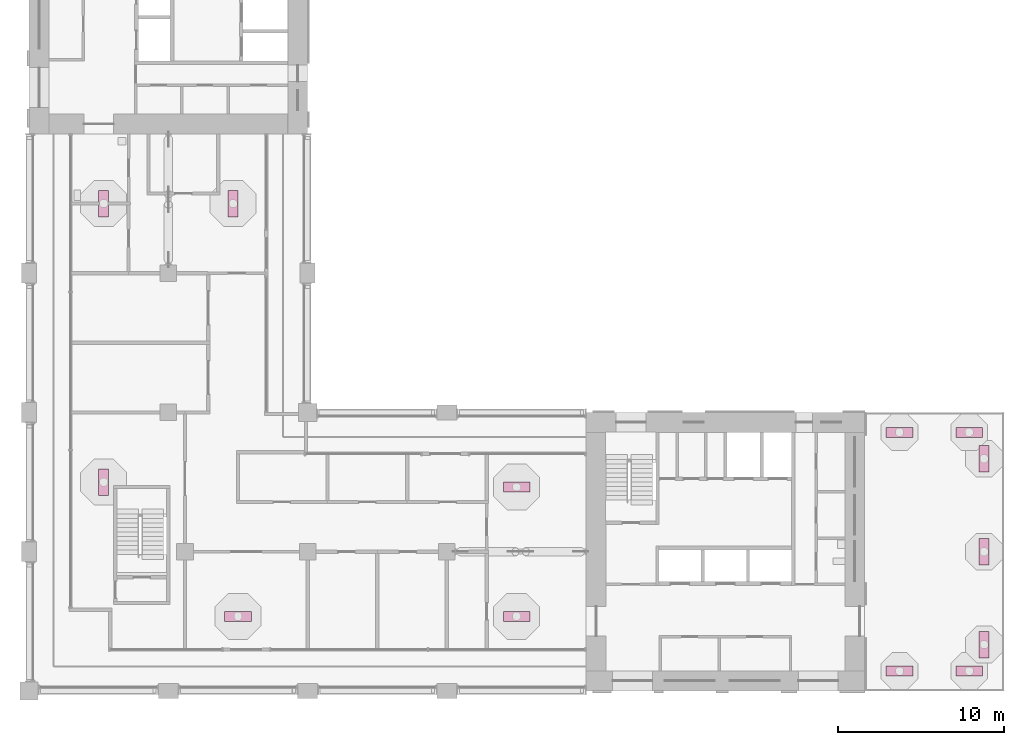
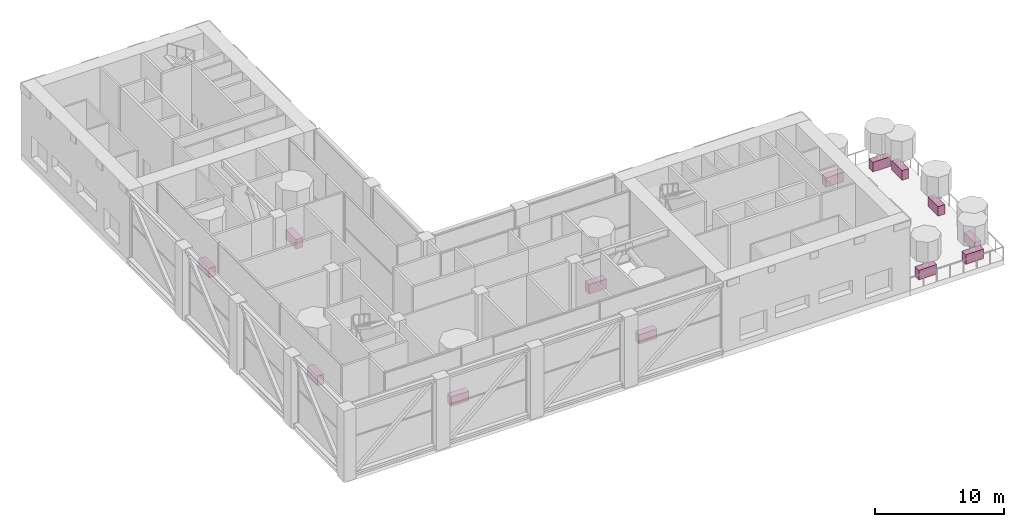
# One storey, part 19 of 20: 13 furniture elements.
"""IFC4 building model written with IfcOpenShell, lengths in metres."""

from ifc_helpers import new_model, si_unit, direction, frame, origin, origin_2d, place, context, subcontext, project, spatial, rectangle, extrude, material, element, save


model = new_model("IFC4")

# Units and contexts
model_context = context("Model", 3, precision=1e-05, world=origin(), true_north=direction((0.0, 1.0)))
body_context = subcontext(model_context, "Body", "Model", "MODEL_VIEW")
ifc_project = project(units=[si_unit("LENGTHUNIT", "METRE"), si_unit("AREAUNIT", "SQUARE_METRE"), si_unit("VOLUMEUNIT", "CUBIC_METRE"), si_unit("PLANEANGLEUNIT", "RADIAN"), si_unit("MASSUNIT", "GRAM", prefix="KILO")], contexts=[model_context])

# Site, building, storey
site_placement = place(None, origin())
site = spatial("IfcSite", under=ifc_project, at=site_placement, CompositionType="ELEMENT")
building_placement = place(site_placement, origin())
building = spatial("IfcBuilding", under=site, at=building_placement, Name="Vermilion Gate Residences", CompositionType="ELEMENT")
storey_placement = place(building_placement, frame((0.0, 0.0, 207.199951171875)))
storey = spatial("IfcBuildingStorey", under=building, at=storey_placement, Name="L54", CompositionType="ELEMENT", Elevation=207.199951171875)

# Furniture
ifc_material = material(Name="Terracotta planter", Category="masonry")
for number, where, z_axis, x_axis, name in (
    (1, (65.10009765625, 24.0, 0.0), (0.0, 0.0, 1.0), (-1.0, 0.0, 0.0), "PLANTER"),
    (2, (60.89990234375, 24.0, 0.0), (0.0, 0.0, 1.0), (-1.0, 0.0, 0.0), "PLANTER"),
    (3, (60.89990234375, 9.60009765625, 0.0), (0.0, 0.0, 1.0), (1.0, 0.0, 0.0), "PLANTER"),
    (4, (65.10009765625, 9.60009765625, 0.0), (0.0, 0.0, 1.0), (1.0, 0.0, 0.0), "PLANTER"),
    (5, (66.0, 11.199951171875, 0.0), (0.0, 0.0, 1.0), (0.0, 1.0, 0.0), "PLANTER"),
    (6, (66.0, 16.800048828125, 0.0), (0.0, 0.0, 1.0), (0.0, 1.0, 0.0), "PLANTER"),
    (7, (66.0, 22.39990234375, 0.0), (0.0, 0.0, 1.0), (0.0, 1.0, 0.0), "PLANTER"),
    (8, (12.89990234375, 21.0, 0.0), (0.0, 0.0, 1.0), (0.0, -1.0, 0.0), "PLANTER"),
    (9, (12.89990234375, 37.800048828125, 0.0), (0.0, 0.0, 1.0), (0.0, -1.0, 0.0), "PLANTER"),
    (10, (21.0, 12.89990234375, 0.0), (0.0, 0.0, 1.0), (1.0, 0.0, 0.0), "PLANTER"),
    (11, (37.800048828125, 12.89990234375, 0.0), (0.0, 0.0, 1.0), (1.0, 0.0, 0.0), "PLANTER"),
    (12, (37.800048828125, 20.699951171875, 0.0), (0.0, 0.0, 1.0), (-1.0, 0.0, 0.0), "PLANTER"),
    (13, (20.699951171875, 37.800048828125, 0.0), (0.0, 0.0, 1.0), (0.0, 1.0, 0.0), "PLANTER"),
):
    element("IfcFurniture", number, at=place(storey_placement, frame(where, z_axis=z_axis, x_axis=x_axis)), inside=storey, material=ifc_material, Name=name, ObjectType="PLANTER", PredefinedType="USERDEFINED", context=body_context, shape_type="SweptSolid", body=[
        extrude(rectangle(XDim=1.60009765625, YDim=0.60009765625, at=origin_2d()), origin(), (0.0, 0.0, 1.0), 0.89990234375),
    ])

save(model, "model.ifc")
